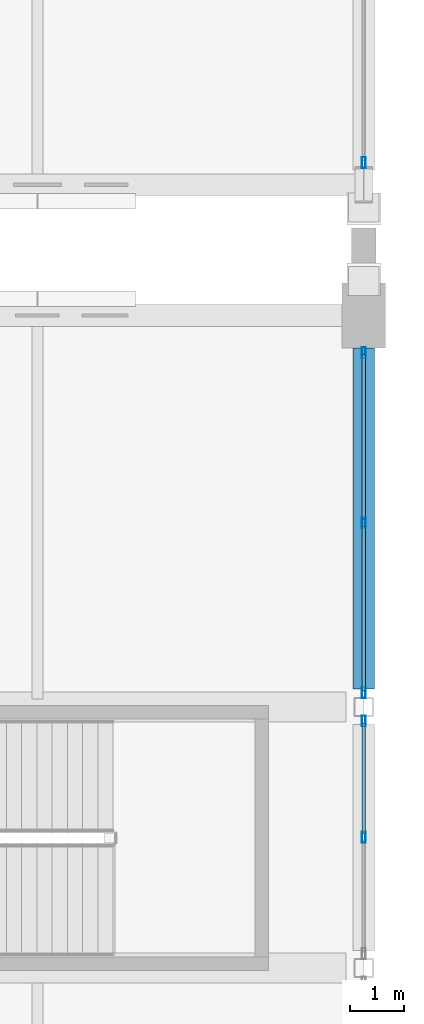
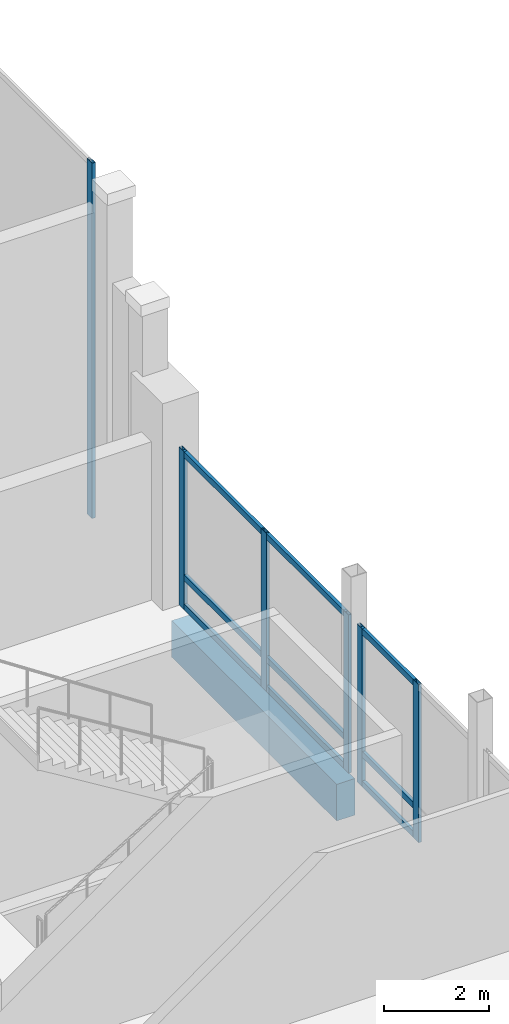
# One storey, part 91 of 193: 15 members, 1 beam, 3 elements without a shape of their own.
"""IFC4 building model written with IfcOpenShell, lengths in metres."""

from ifc_helpers import new_model, si_unit, direction, frame, origin, origin_2d, place, context, subcontext, project, spatial, rectangle, hollow_rectangle, extrude, material, material_profile, profile_set, type_object, element, aggregate, save


model = new_model("IFC4")

# Units and contexts
model_context = context("Model", 3, precision=1e-05, world=origin(), true_north=direction((0.0, 1.0)))
body_context = subcontext(model_context, "Body", "Model", "MODEL_VIEW")
ifc_project = project(units=[si_unit("LENGTHUNIT", "METRE"), si_unit("AREAUNIT", "SQUARE_METRE"), si_unit("VOLUMEUNIT", "CUBIC_METRE"), si_unit("PLANEANGLEUNIT", "RADIAN"), si_unit("MASSUNIT", "GRAM", prefix="KILO")], contexts=[model_context])

# Site, building, storey
site_placement = place(None, origin())
site = spatial("IfcSite", under=ifc_project, at=site_placement, CompositionType="ELEMENT")
building_placement = place(site_placement, origin())
building = spatial("IfcBuilding", under=site, at=building_placement, Name="Cendralis Lancet Convention Centre", CompositionType="ELEMENT")
storey_placement = place(building_placement, frame((0.0, 0.0, 10.199951171875)))
storey = spatial("IfcBuildingStorey", under=building, at=storey_placement, Name="L02", CompositionType="ELEMENT", Elevation=10.199951171875)

# Curtain wall, members
ifc_material_1 = material(Name="Anodised bronze architectural aluminium", Category="aluminium")
curtain_wall_type_1 = type_object("IfcCurtainWallType", Name="ARC-CW-PL02", PredefinedType="USERDEFINED", material=ifc_material_1)
curtain_wall_1_placement = place(storey_placement, origin())
curtain_wall_1 = element("IfcCurtainWall", 1, at=curtain_wall_1_placement, inside=storey, type_object=curtain_wall_type_1, Name="L02 Curtain Wall CW-PL2 #134", ObjectType="CURTAIN WALL", PredefinedType="USERDEFINED")
ifc_material_profile_1 = material_profile(ifc_material_1, hollow_rectangle(XDim=0.070068359375, YDim=0.199951171875, WallThickness=0.0048828125, at=origin_2d()), Name="AL-MULL 70x200x5.0")
ifc_profile_set_1 = profile_set([ifc_material_profile_1], Name="Anodised bronze architectural aluminium")
member_type_1 = type_object("IfcMemberType", Name="ARC-CW-ML02", PredefinedType="MULLION", material=ifc_profile_set_1)
member_1_placement = place(storey_placement, frame((208.800048828125, 83.739990234375, 0.0), z_axis=(0.0, 0.0, 1.0), x_axis=(1.0, 0.0, 0.0)))
member_1 = element("IfcMember", 2, at=member_1_placement, type_object=member_type_1, Name="Mullion CW2-CW-PL2-L02-134-M0", PredefinedType="MULLION", context=body_context, shape_type="SweptSolid", body=[
    extrude(hollow_rectangle(XDim=0.070068359375, YDim=0.199951171875, WallThickness=0.0048828125, at=origin_2d()), origin(), (0.0, 0.0, 1.0), 3.675048828125),
])
member_2_placement = place(storey_placement, frame((208.800048828125, 81.60009765625, 0.0), z_axis=(0.0, 0.0, 1.0), x_axis=(1.0, 0.0, 0.0)))
member_2 = element("IfcMember", 3, at=member_2_placement, type_object=member_type_1, Name="Mullion CW2-CW-PL2-L02-134-M1", PredefinedType="MULLION", context=body_context, shape_type="SweptSolid", body=[
    extrude(hollow_rectangle(XDim=0.070068359375, YDim=0.199951171875, WallThickness=0.0048828125, at=origin_2d()), origin(), (0.0, 0.0, 1.0), 3.675048828125),
])

curtain_wall_2_placement = place(storey_placement, origin())
curtain_wall_2 = element("IfcCurtainWall", 4, at=curtain_wall_2_placement, inside=storey, type_object=curtain_wall_type_1, Name="L02 Curtain Wall CW-PL2 #135", ObjectType="CURTAIN WALL", PredefinedType="USERDEFINED")
member_3_placement = place(storey_placement, frame((208.800048828125, 90.514892578125, 0.0), z_axis=(0.0, 0.0, 1.0), x_axis=(1.0, 0.0, 0.0)))
member_3 = element("IfcMember", 5, at=member_3_placement, type_object=member_type_1, Name="Mullion CW2-CW-PL2-L02-135-M0", PredefinedType="MULLION", context=body_context, shape_type="SweptSolid", body=[
    extrude(hollow_rectangle(XDim=0.070068359375, YDim=0.199951171875, WallThickness=0.0048828125, at=origin_2d()), origin(), (0.0, 0.0, 1.0), 3.675048828125),
])
member_4_placement = place(storey_placement, frame((208.800048828125, 87.387451171875, 0.0), z_axis=(0.0, 0.0, 1.0), x_axis=(1.0, 0.0, 0.0)))
member_4 = element("IfcMember", 6, at=member_4_placement, type_object=member_type_1, Name="Mullion CW2-CW-PL2-L02-135-M1", PredefinedType="MULLION", context=body_context, shape_type="SweptSolid", body=[
    extrude(hollow_rectangle(XDim=0.070068359375, YDim=0.199951171875, WallThickness=0.0048828125, at=origin_2d()), origin(), (0.0, 0.0, 1.0), 3.675048828125),
])
member_5_placement = place(storey_placement, frame((208.800048828125, 84.260009765625, 0.0), z_axis=(0.0, 0.0, 1.0), x_axis=(1.0, 0.0, 0.0)))
member_5 = element("IfcMember", 7, at=member_5_placement, type_object=member_type_1, Name="Mullion CW2-CW-PL2-L02-135-M2", PredefinedType="MULLION", context=body_context, shape_type="SweptSolid", body=[
    extrude(hollow_rectangle(XDim=0.070068359375, YDim=0.199951171875, WallThickness=0.0048828125, at=origin_2d()), origin(), (0.0, 0.0, 1.0), 3.675048828125),
])

# Curtain wall, member
curtain_wall_type_2 = type_object("IfcCurtainWallType", Name="ARC-CW-BL02", PredefinedType="USERDEFINED", material=ifc_material_1)
curtain_wall_3_placement = place(storey_placement, origin())
curtain_wall_3 = element("IfcCurtainWall", 8, at=curtain_wall_3_placement, inside=storey, type_object=curtain_wall_type_2, Name="L02 Curtain Wall CW-BL2 #160", ObjectType="CURTAIN WALL", PredefinedType="USERDEFINED")
member_6_placement = place(storey_placement, frame((208.800048828125, 94.010009765625, 0.0), z_axis=(0.0, 0.0, 1.0), x_axis=(1.0, 0.0, 0.0)))
member_6 = element("IfcMember", 9, at=member_6_placement, type_object=member_type_1, Name="Mullion CW2-CW-BL2-L02-160-M2", PredefinedType="MULLION", context=body_context, shape_type="SweptSolid", body=[
    extrude(hollow_rectangle(XDim=0.070068359375, YDim=0.199951171875, WallThickness=0.0048828125, at=origin_2d()), origin(), (0.0, 0.0, 1.0), 8.25),
])
aggregate(curtain_wall_3, [member_6])

# Member
ifc_material_profile_2 = material_profile(ifc_material_1, hollow_rectangle(XDim=0.070068359375, YDim=0.139892578125, WallThickness=0.00390625, at=origin_2d()), Name="AL-TRAN 70x140x4.0")
ifc_profile_set_2 = profile_set([ifc_material_profile_2], Name="Anodised bronze architectural aluminium")
member_type_2 = type_object("IfcMemberType", Name="ARC-CW-TR02", PredefinedType="USERDEFINED", material=ifc_profile_set_2)
member_7_placement = place(storey_placement, frame((208.800048828125, 83.705078125, 0.070068359375), z_axis=(0.0, -1.0, 0.0), x_axis=(1.0, 0.0, 0.0)))
member_7 = element("IfcMember", 10, at=member_7_placement, type_object=member_type_2, Name="Transom CW2-CW-PL2-L02-134-T0BOT", ObjectType="TRANSOM", PredefinedType="USERDEFINED", context=body_context, shape_type="SweptSolid", body=[
    extrude(hollow_rectangle(XDim=0.070068359375, YDim=0.139892578125, WallThickness=0.00390625, at=origin_2d()), origin(), (0.0, 0.0, 1.0), 2.03515625),
])

member_8_placement = place(storey_placement, frame((208.800048828125, 83.705078125, 0.75), z_axis=(0.0, -1.0, 0.0), x_axis=(1.0, 0.0, 0.0)))
member_8 = element("IfcMember", 11, at=member_8_placement, type_object=member_type_2, Name="Transom CW2-CW-PL2-L02-134-T0MID", ObjectType="TRANSOM", PredefinedType="USERDEFINED", context=body_context, shape_type="SweptSolid", body=[
    extrude(hollow_rectangle(XDim=0.070068359375, YDim=0.139892578125, WallThickness=0.00390625, at=origin_2d()), origin(), (0.0, 0.0, 1.0), 2.03515625),
])

member_9_placement = place(storey_placement, frame((208.800048828125, 83.705078125, 3.60498046875), z_axis=(0.0, -1.0, 0.0), x_axis=(1.0, 0.0, 0.0)))
member_9 = element("IfcMember", 12, at=member_9_placement, type_object=member_type_2, Name="Transom CW2-CW-PL2-L02-134-T0TOP", ObjectType="TRANSOM", PredefinedType="USERDEFINED", context=body_context, shape_type="SweptSolid", body=[
    extrude(hollow_rectangle(XDim=0.070068359375, YDim=0.139892578125, WallThickness=0.00390625, at=origin_2d()), origin(), (0.0, 0.0, 1.0), 2.03515625),
])

aggregate(curtain_wall_1, [member_1, member_2, member_7, member_8, member_9])

member_10_placement = place(storey_placement, frame((208.800048828125, 90.47998046875, 0.070068359375), z_axis=(0.0, -1.0, 0.0), x_axis=(1.0, 0.0, 0.0)))
member_10 = element("IfcMember", 13, at=member_10_placement, type_object=member_type_2, Name="Transom CW2-CW-PL2-L02-135-T0BOT", ObjectType="TRANSOM", PredefinedType="USERDEFINED", context=body_context, shape_type="SweptSolid", body=[
    extrude(hollow_rectangle(XDim=0.070068359375, YDim=0.139892578125, WallThickness=0.00390625, at=origin_2d()), origin(), (0.0, 0.0, 1.0), 3.0224609375),
])

member_11_placement = place(storey_placement, frame((208.800048828125, 90.47998046875, 0.75), z_axis=(0.0, -1.0, 0.0), x_axis=(1.0, 0.0, 0.0)))
member_11 = element("IfcMember", 14, at=member_11_placement, type_object=member_type_2, Name="Transom CW2-CW-PL2-L02-135-T0MID", ObjectType="TRANSOM", PredefinedType="USERDEFINED", context=body_context, shape_type="SweptSolid", body=[
    extrude(hollow_rectangle(XDim=0.070068359375, YDim=0.139892578125, WallThickness=0.00390625, at=origin_2d()), origin(), (0.0, 0.0, 1.0), 3.0224609375),
])

member_12_placement = place(storey_placement, frame((208.800048828125, 90.47998046875, 3.60498046875), z_axis=(0.0, -1.0, 0.0), x_axis=(1.0, 0.0, 0.0)))
member_12 = element("IfcMember", 15, at=member_12_placement, type_object=member_type_2, Name="Transom CW2-CW-PL2-L02-135-T0TOP", ObjectType="TRANSOM", PredefinedType="USERDEFINED", context=body_context, shape_type="SweptSolid", body=[
    extrude(hollow_rectangle(XDim=0.070068359375, YDim=0.139892578125, WallThickness=0.00390625, at=origin_2d()), origin(), (0.0, 0.0, 1.0), 3.0224609375),
])

member_13_placement = place(storey_placement, frame((208.800048828125, 87.3173828125, 0.070068359375), z_axis=(0.0, -1.0, 0.0), x_axis=(1.0, 0.0, 0.0)))
member_13 = element("IfcMember", 16, at=member_13_placement, type_object=member_type_2, Name="Transom CW2-CW-PL2-L02-135-T1BOT", ObjectType="TRANSOM", PredefinedType="USERDEFINED", context=body_context, shape_type="SweptSolid", body=[
    extrude(hollow_rectangle(XDim=0.070068359375, YDim=0.139892578125, WallThickness=0.00390625, at=origin_2d()), origin(), (0.0, 0.0, 1.0), 3.0224609375),
])

member_14_placement = place(storey_placement, frame((208.800048828125, 87.3173828125, 0.75), z_axis=(0.0, -1.0, 0.0), x_axis=(1.0, 0.0, 0.0)))
member_14 = element("IfcMember", 17, at=member_14_placement, type_object=member_type_2, Name="Transom CW2-CW-PL2-L02-135-T1MID", ObjectType="TRANSOM", PredefinedType="USERDEFINED", context=body_context, shape_type="SweptSolid", body=[
    extrude(hollow_rectangle(XDim=0.070068359375, YDim=0.139892578125, WallThickness=0.00390625, at=origin_2d()), origin(), (0.0, 0.0, 1.0), 3.0224609375),
])

member_15_placement = place(storey_placement, frame((208.800048828125, 87.3173828125, 3.60498046875), z_axis=(0.0, -1.0, 0.0), x_axis=(1.0, 0.0, 0.0)))
member_15 = element("IfcMember", 18, at=member_15_placement, type_object=member_type_2, Name="Transom CW2-CW-PL2-L02-135-T1TOP", ObjectType="TRANSOM", PredefinedType="USERDEFINED", context=body_context, shape_type="SweptSolid", body=[
    extrude(hollow_rectangle(XDim=0.070068359375, YDim=0.139892578125, WallThickness=0.00390625, at=origin_2d()), origin(), (0.0, 0.0, 1.0), 3.0224609375),
])

aggregate(curtain_wall_2, [member_3, member_4, member_5, member_10, member_11, member_12, member_13, member_14, member_15])

# Beam
ifc_material_2 = material(Name="Concrete G40 (C40/50)", Category="concrete")
ifc_material_profile_3 = material_profile(ifc_material_2, rectangle(XDim=0.39990234375, YDim=0.85009765625, at=origin_2d()), Name="RCB 400x850")
ifc_profile_set_3 = profile_set([ifc_material_profile_3], Name="Concrete G40 (C40/50)")
beam_type = type_object("IfcBeamType", Name="STR-SP-SP02", PredefinedType="SPANDREL", material=ifc_profile_set_3)
beam_placement = place(storey_placement, frame((208.800048828125, 84.324951171875, -0.724853515625), z_axis=(0.0, 1.0, 0.0), x_axis=(-1.0, 0.0, 0.0)))
element("IfcBeam", 19, at=beam_placement, inside=storey, type_object=beam_type, Name="L02 Beam SP02 #1496", PredefinedType="SPANDREL", context=body_context, shape_type="SweptSolid", body=[
    extrude(rectangle(XDim=0.39990234375, YDim=0.85009765625, at=origin_2d()), origin(), (0.0, 0.0, 1.0), 6.275146484375),
])

save(model, "model.ifc")
